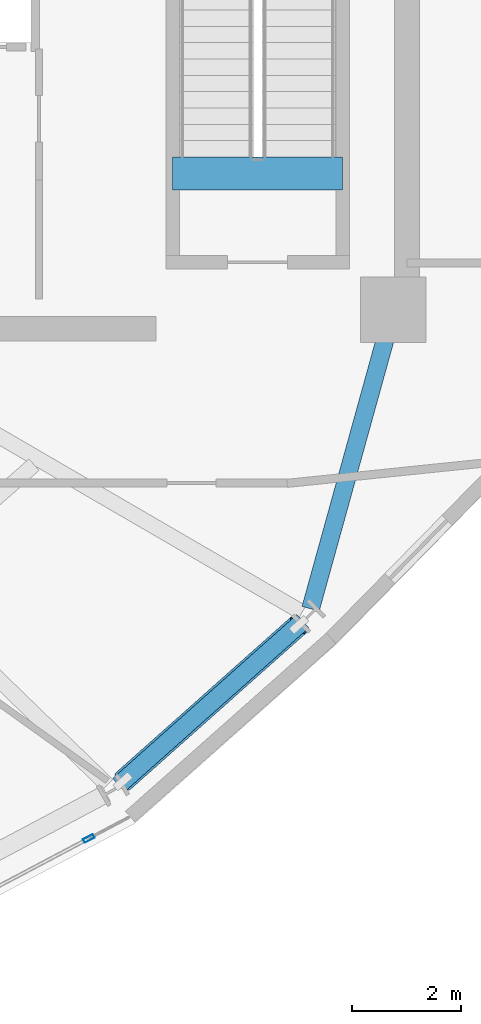
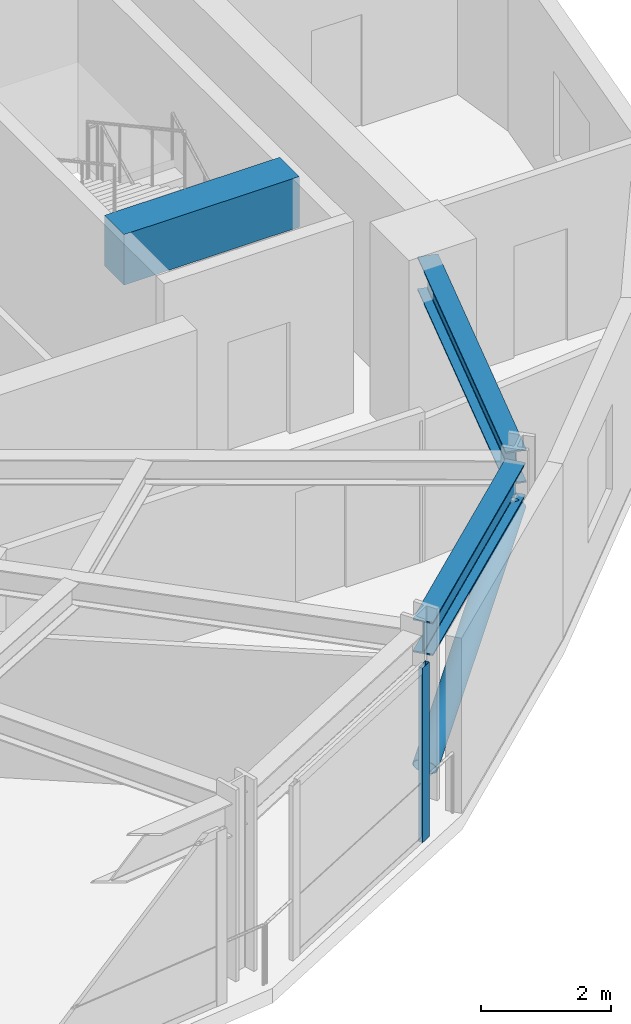
# One storey, part 11 of 24: 3 beams, 2 members, 1 element without a shape of its own.
"""IFC4 building model written with IfcOpenShell, lengths in metres."""

from ifc_helpers import new_model, si_unit, direction, frame, origin, origin_2d, place, context, subcontext, project, spatial, rectangle, hollow_rectangle, hollow_circle, i_section, extrude, material, layer, layer_set, material_profile, profile_set, type_object, element, aggregate, save


model = new_model("IFC4")

# Units and contexts
model_context = context("Model", 3, precision=1e-05, world=origin(), true_north=direction((0.0, 1.0)))
body_context = subcontext(model_context, "Body", "Model", "MODEL_VIEW")
ifc_project = project(units=[si_unit("LENGTHUNIT", "METRE"), si_unit("AREAUNIT", "SQUARE_METRE"), si_unit("VOLUMEUNIT", "CUBIC_METRE"), si_unit("PLANEANGLEUNIT", "RADIAN"), si_unit("MASSUNIT", "GRAM", prefix="KILO")], contexts=[model_context])

# Site, building, storey
site_placement = place(None, origin())
site = spatial("IfcSite", under=ifc_project, at=site_placement, CompositionType="ELEMENT")
building_placement = place(site_placement, origin())
building = spatial("IfcBuilding", under=site, at=building_placement, Name="Solvane Sanctuary Tower", CompositionType="ELEMENT")
storey_placement = place(building_placement, frame((0.0, 0.0, 253.199951171875)))
storey = spatial("IfcBuildingStorey", under=building, at=storey_placement, Name="L77", CompositionType="ELEMENT", Elevation=253.199951171875)

# Beams
ifc_material_1 = material(Name="Concrete C70/85", Category="concrete")
ifc_material_profile_1 = material_profile(ifc_material_1, rectangle(XDim=0.60009765625, YDim=0.949951171875, at=origin_2d()), Name="RC600X950")
ifc_profile_set_1 = profile_set([ifc_material_profile_1], Name="Concrete C70/85")
beam_type_1 = type_object("IfcBeamType", Name="Beam B-COUPLE RC600X950", PredefinedType="LINTEL", material=ifc_profile_set_1)
beam_1_placement = place(storey_placement, frame((44.64990234375, 19.399169921875, 3.125), z_axis=(1.0, 0.0, 0.0), x_axis=(0.0, 1.0, 0.0)))
element("IfcBeam", 1, at=beam_1_placement, inside=storey, type_object=beam_type_1, Name="L77 ST-2 Stair Floor Landing Trimmer", PredefinedType="LINTEL", context=body_context, shape_type="SweptSolid", body=[
    extrude(rectangle(XDim=0.60009765625, YDim=0.949951171875, at=origin_2d()), origin(), (0.0, 0.0, 1.0), 3.1201171875),
])
ifc_material_2 = material(Name="Steel ASTM A992 Grade 50", Category="steel")
ifc_material_profile_2 = material_profile(ifc_material_2, i_section(OverallWidth=0.327880859375, OverallDepth=0.6279296875, WebThickness=0.0166015625, FlangeThickness=0.027587890625, FilletRadius=0.01611328125, at=origin_2d()), Name="W24X146")
ifc_profile_set_2 = profile_set([ifc_material_profile_2], Name="Steel ASTM A992 Grade 50")
beam_type_2 = type_object("IfcBeamType", Name="Beam B-SPAND-Z3 W24X146", PredefinedType="SPANDREL", material=ifc_profile_set_2)
beam_2_placement = place(storey_placement, frame((43.65966796875, 8.17919921875, 3.004150390625), z_axis=(0.747206834793, 0.664591563322, 0.0), x_axis=(-0.664591563322, 0.747206834793, 0.0)))
element("IfcBeam", 2, at=beam_2_placement, inside=storey, type_object=beam_type_2, Name="L77 Perimeter Spandrel Beam TC13-TC14", PredefinedType="SPANDREL", context=body_context, shape_type="SweptSolid", body=[
    extrude(i_section(OverallWidth=0.327880859375, OverallDepth=0.6279296875, WebThickness=0.0166015625, FlangeThickness=0.027587890625, FilletRadius=0.01611328125, at=origin_2d()), origin(), (0.0, 0.0, 1.0), 4.5244140625),
])
beam_3_placement = place(storey_placement, frame((47.18212890625, 11.4140625, 3.004150390625), z_axis=(0.266650248701, 0.963793362121, 0.0), x_axis=(-0.963793362121, 0.266650248701, 0.0)))
element("IfcBeam", 3, at=beam_3_placement, inside=storey, type_object=beam_type_2, Name="L77 Perimeter Spandrel Beam TC14-CE2", PredefinedType="SPANDREL", context=body_context, shape_type="SweptSolid", body=[
    extrude(i_section(OverallWidth=0.327880859375, OverallDepth=0.6279296875, WebThickness=0.0166015625, FlangeThickness=0.027587890625, FilletRadius=0.01611328125, at=origin_2d()), origin(), (0.0, 0.0, 1.0), 5.412109375),
])

# Curtain wall, member
ifc_material_3 = material(Name="Anodised Aluminium 6063-T6", Category="aluminium")
ifc_layer = layer(ifc_material_3, 0.18994140625, Name="Anodised Aluminium 6063-T6")
ifc_layer_set = layer_set([ifc_layer], Name="Anodised Aluminium 6063-T6")
curtain_wall_type = type_object("IfcCurtainWallType", Name="Curtain Wall CW-OPER", PredefinedType="NOTDEFINED", material=ifc_layer_set)
curtain_wall_placement = place(storey_placement, origin())
curtain_wall = element("IfcCurtainWall", 4, at=curtain_wall_placement, inside=storey, type_object=curtain_wall_type, Name="L77 CW-OPER Facade Run 19", PredefinedType="NOTDEFINED")
ifc_material_profile_3 = material_profile(ifc_material_3, hollow_rectangle(XDim=0.074951171875, YDim=0.199951171875, WallThickness=0.00390625, at=origin_2d()), Name="ALU200X75X4")
ifc_profile_set_3 = profile_set([ifc_material_profile_3], Name="Anodised Aluminium 6063-T6")
member_type_1 = type_object("IfcMemberType", Name="Member M-CW-MUL-1 ALU200X75X4", PredefinedType="MULLION", material=ifc_profile_set_3)
member_1_placement = place(storey_placement, frame((43.112060546875, 7.199951171875, 0.0), z_axis=(0.0, 0.0, 1.0), x_axis=(-0.467523293544, 0.883980752049, 0.0)))
member_1 = element("IfcMember", 5, at=member_1_placement, type_object=member_type_1, Name="CW-OPER mullion 2", PredefinedType="MULLION", context=body_context, shape_type="SweptSolid", body=[
    extrude(hollow_rectangle(XDim=0.074951171875, YDim=0.199951171875, WallThickness=0.00390625, at=origin_2d()), origin(), (0.0, 0.0, 1.0), 3.280029296875),
])
aggregate(curtain_wall, [member_1])

# Member
ifc_material_profile_4 = material_profile(ifc_material_2, hollow_circle(Radius=0.202880859375, WallThickness=0.012451171875, at=origin_2d()), Name="CHS406X12.5")
ifc_profile_set_4 = profile_set([ifc_material_profile_4], Name="Steel ASTM A992 Grade 50")
member_type_2 = type_object("IfcMemberType", Name="Member M-TUBE-Z3 CHS406X12.5", PredefinedType="BRACE", material=ifc_profile_set_4)
member_2_placement = place(storey_placement, frame((43.7392578125, 8.25, 0.49853515625), z_axis=(0.673397052397, 0.598966005648, 0.433331436549), x_axis=(-0.664606066876, 0.747193934579, 0.0)))
element("IfcMember", 6, at=member_2_placement, inside=storey, type_object=member_type_2, Name="L77 Perimeter Braced-Tube Diagonal SE", PredefinedType="BRACE", context=body_context, shape_type="SweptSolid", body=[
    extrude(hollow_circle(Radius=0.202880859375, WallThickness=0.012451171875, at=origin_2d()), origin(), (0.0, 0.0, 1.0), 4.788818359375),
])

save(model, "model.ifc")
